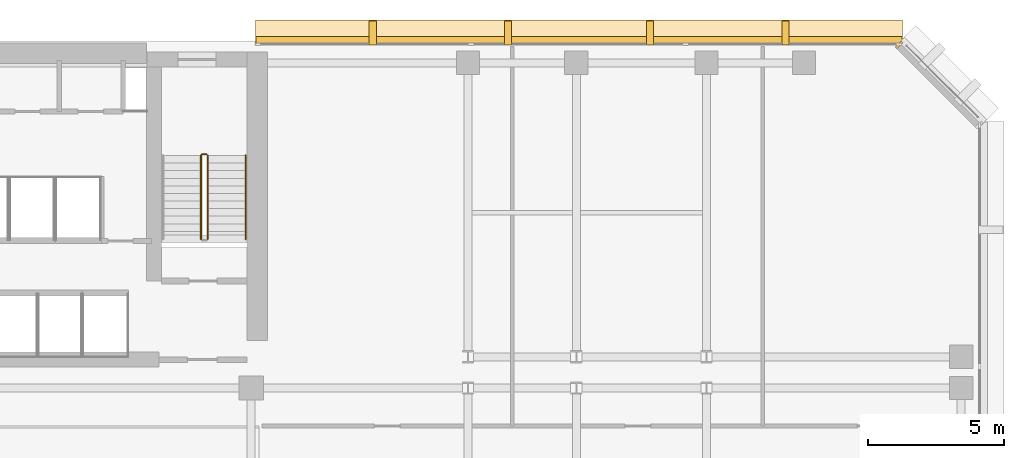
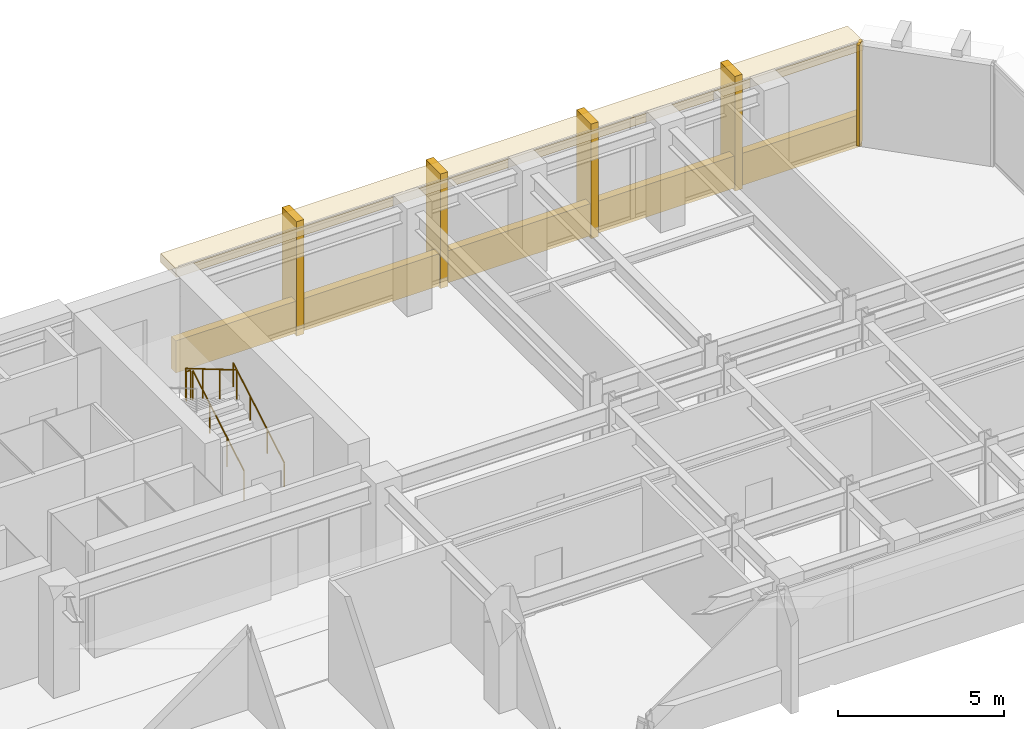
# One storey, part 11 of 12: 7 coverings, 4 railings.
"""IFC4 building model written with IfcOpenShell, lengths in metres."""

from ifc_helpers import new_model, si_unit, direction, frame, origin, origin_2d, place, context, subcontext, project, spatial, rectangle, circle, extrude, material, layer, layer_set, type_object, element, save


model = new_model("IFC4")

# Units and contexts
model_context = context("Model", 3, precision=1e-05, world=origin(), true_north=direction((0.0, 1.0)))
body_context = subcontext(model_context, "Body", "Model", "MODEL_VIEW")
ifc_project = project(units=[si_unit("LENGTHUNIT", "METRE"), si_unit("AREAUNIT", "SQUARE_METRE"), si_unit("VOLUMEUNIT", "CUBIC_METRE"), si_unit("PLANEANGLEUNIT", "RADIAN"), si_unit("MASSUNIT", "GRAM", prefix="KILO")], contexts=[model_context])

# Site, building, storey
site_placement = place(None, origin())
site = spatial("IfcSite", under=ifc_project, at=site_placement, CompositionType="ELEMENT")
building_placement = place(site_placement, origin())
building = spatial("IfcBuilding", under=site, at=building_placement, Name="Kefirva Bronze Tower", CompositionType="ELEMENT")
storey_placement = place(building_placement, frame((0.0, 0.0, 118.469970703125)))
storey = spatial("IfcBuildingStorey", under=building, at=storey_placement, Name="L28", CompositionType="ELEMENT", Elevation=118.469970703125)

# Coverings
ifc_material_1 = material(Name="Bronze anodised aluminium", Category="aluminium")
ifc_layer_1 = layer(ifc_material_1, 0.02001953125, Name="Bronze anodised aluminium")
ifc_layer_set_1 = layer_set([ifc_layer_1], Name="Bronze anodised aluminium")
covering_type_1 = type_object("IfcCoveringType", Name="Anodised Bronze Spandrel Cladding 20mm", PredefinedType="CLADDING", material=ifc_layer_set_1)
covering_1_placement = place(storey_placement, frame((47.11181640625, 45.862060546875, 0.0), z_axis=(0.0, 0.0, 1.0), x_axis=(-0.707106781187, 0.707106781187, 0.0)))
element("IfcCovering", 1, at=covering_1_placement, inside=storey, type_object=covering_type_1, Name="L28 Facade Joint Closure Panel 7E", PredefinedType="CLADDING", context=body_context, shape_type="SweptSolid", body=[
    extrude(rectangle(XDim=0.10009765625, YDim=0.320068359375, at=origin_2d()), origin(), (0.0, 0.0, 1.0), 3.7099609375),
])
covering_2_placement = place(storey_placement, frame((35.302490234375, 46.0400390625, -0.16015625), z_axis=(0.0, 0.0, 1.0), x_axis=(-1.0, 0.0, 0.0)))
element("IfcCovering", 2, at=covering_2_placement, inside=storey, type_object=covering_type_1, Name="L28 Streamline Horizontal Spandrel Band 12", PredefinedType="CLADDING", context=body_context, shape_type="SweptSolid", body=[
    extrude(rectangle(XDim=23.8349609375, YDim=0.280029296875, at=origin_2d()), origin(), (0.0, 0.0, 1.0), 1.179931640625),
])

# Railings
ifc_material_2 = material(Name="Stainless steel 316", Category="steel")
railing_type_1 = type_object("IfcRailingType", Name="Interior Stair Guardrail 1100mm", PredefinedType="GUARDRAIL", material=ifc_material_2)
railing_1_placement = place(storey_placement, frame((21.60009765625, 38.699951171875, 0.1650390625)))
element("IfcRailing", 3, at=railing_1_placement, inside=storey, type_object=railing_type_1, Name="L28 ST-2 stair guard 1", PredefinedType="GUARDRAIL", context=body_context, shape_type="SweptSolid", body=[
    extrude(circle(Radius=0.02392578125, at=origin_2d()), frame((0.0, 0.0, 1.076171875), z_axis=(0.0, 0.861551262678, 0.507670583921), x_axis=(-1.0, 0.0, 0.0)), (0.0, 0.0, 1.0), 3.574951171875),
    extrude(circle(Radius=0.02099609375, at=origin_2d()), origin(), (0.0, 0.0, 1.0), 1.052001953125),
    extrude(circle(Radius=0.02099609375, at=origin_2d()), frame((0.0, 1.026611328125, 0.60498046875)), (0.0, 0.0, 1.0), 1.052001953125),
    extrude(circle(Radius=0.02099609375, at=origin_2d()), frame((0.0, 2.053466796875, 1.2099609375)), (0.0, 0.0, 1.0), 1.052001953125),
    extrude(circle(Radius=0.02099609375, at=origin_2d()), frame((0.0, 3.080078125, 1.81494140625)), (0.0, 0.0, 1.0), 1.052001953125),
])
railing_2_placement = place(storey_placement, frame((21.550048828125, 41.830078125, 1.97998046875)))
element("IfcRailing", 4, at=railing_2_placement, inside=storey, type_object=railing_type_1, Name="L28 ST-2 stair guard 2", PredefinedType="GUARDRAIL", context=body_context, shape_type="SweptSolid", body=[
    extrude(circle(Radius=0.02392578125, at=origin_2d()), frame((0.0, 0.0, 1.076171875), z_axis=(-1.0, 0.0, 0.0), x_axis=(0.0, -1.0, 0.0)), (0.0, 0.0, 1.0), 0.150146484375),
    extrude(circle(Radius=0.02099609375, at=origin_2d()), origin(), (0.0, 0.0, 1.0), 1.052001953125),
    extrude(circle(Radius=0.02099609375, at=origin_2d()), frame((-0.150146484375, 0.0, 0.0)), (0.0, 0.0, 1.0), 1.052001953125),
])
railing_3_placement = place(storey_placement, frame((21.35009765625, 41.780029296875, 2.14501953125)))
element("IfcRailing", 5, at=railing_3_placement, inside=storey, type_object=railing_type_1, Name="L28 ST-2 stair guard 3", PredefinedType="GUARDRAIL", context=body_context, shape_type="SweptSolid", body=[
    extrude(circle(Radius=0.02392578125, at=origin_2d()), frame((0.0, 0.0, 1.076171875), z_axis=(0.0, -0.861551262678, 0.507670583921), x_axis=(1.0, 0.0, 0.0)), (0.0, 0.0, 1.0), 3.574951171875),
    extrude(circle(Radius=0.02099609375, at=origin_2d()), origin(), (0.0, 0.0, 1.0), 1.052001953125),
    extrude(circle(Radius=0.02099609375, at=origin_2d()), frame((0.0, -1.026611328125, 0.60498046875)), (0.0, 0.0, 1.0), 1.052001953125),
    extrude(circle(Radius=0.02099609375, at=origin_2d()), frame((0.0, -2.053466796875, 1.2099609375)), (0.0, 0.0, 1.0), 1.052001953125),
    extrude(circle(Radius=0.02099609375, at=origin_2d()), frame((0.0, -3.080078125, 1.81494140625)), (0.0, 0.0, 1.0), 1.052001953125),
])
railing_type_2 = type_object("IfcRailingType", Name="Stair Pitch Handrail 900mm", PredefinedType="HANDRAIL", material=ifc_material_2)
railing_4_placement = place(storey_placement, frame((23.0, 38.699951171875, 0.1650390625)))
element("IfcRailing", 6, at=railing_4_placement, inside=storey, type_object=railing_type_2, Name="L28 ST-2 stair handrail 1", PredefinedType="HANDRAIL", context=body_context, shape_type="SweptSolid", body=[
    extrude(circle(Radius=0.02392578125, at=origin_2d()), frame((0.0, 0.0, 0.8759765625), z_axis=(0.0, 0.861551262678, 0.507670583921), x_axis=(-1.0, 0.0, 0.0)), (0.0, 0.0, 1.0), 3.574951171875),
    extrude(circle(Radius=0.02099609375, at=origin_2d()), origin(), (0.0, 0.0, 1.0), 0.851806640625),
    extrude(circle(Radius=0.02099609375, at=origin_2d()), frame((0.0, 1.026611328125, 0.60498046875)), (0.0, 0.0, 1.0), 0.851806640625),
    extrude(circle(Radius=0.02099609375, at=origin_2d()), frame((0.0, 2.053466796875, 1.2099609375)), (0.0, 0.0, 1.0), 0.851806640625),
    extrude(circle(Radius=0.02099609375, at=origin_2d()), frame((0.0, 3.080078125, 1.81494140625)), (0.0, 0.0, 1.0), 0.851806640625),
])

# Coverings
ifc_layer_2 = layer(ifc_material_1, 0.179931640625, Name="Bronze anodised aluminium")
ifc_layer_set_2 = layer_set([ifc_layer_2], Name="Bronze anodised aluminium")
covering_type_2 = type_object("IfcCoveringType", Name="Streamline Bronze Sunshade Eyebrow Cladding 180mm", PredefinedType="CLADDING", material=ifc_layer_set_2)
covering_3_placement = place(storey_placement, frame((35.302490234375, 46.31005859375, 3.39013671875), z_axis=(0.0, 0.0, 1.0), x_axis=(-1.0, 0.0, 0.0)))
element("IfcCovering", 7, at=covering_3_placement, inside=storey, type_object=covering_type_2, Name="L28 Streamline Bronze Sunshade Eyebrow 12", PredefinedType="CLADDING", context=body_context, shape_type="SweptSolid", body=[
    extrude(rectangle(XDim=23.875, YDim=0.93994140625, at=origin_2d()), origin(), (0.0, 0.0, 1.0), 0.320068359375),
])
ifc_layer_3 = layer(ifc_material_1, 0.260009765625, Name="Bronze anodised aluminium")
ifc_layer_set_3 = layer_set([ifc_layer_3], Name="Bronze anodised aluminium")
covering_type_3 = type_object("IfcCoveringType", Name="Unbroken Bronze Buttress Fin Cladding 260mm", PredefinedType="CLADDING", material=ifc_layer_set_3)
for number, where, z_axis, x_axis, name in (
    (8, (42.9169921875, 46.300048828125, -0.25), (0.0, 0.0, 1.0), (-1.0, 0.0, 0.0), "L28 Unbroken Vertical Bronze Rib Fin 17"),
    (9, (37.919921875, 46.300048828125, -0.25), (0.0, 0.0, 1.0), (-1.0, 0.0, 0.0), "L28 Unbroken Vertical Bronze Rib Fin 18"),
    (10, (32.68505859375, 46.300048828125, -0.25), (0.0, 0.0, 1.0), (-1.0, 0.0, 0.0), "L28 Unbroken Vertical Bronze Rib Fin 19"),
    (11, (27.68798828125, 46.300048828125, -0.25), (0.0, 0.0, 1.0), (-1.0, 0.0, 0.0), "L28 Unbroken Vertical Bronze Rib Fin 20"),
):
    element("IfcCovering", number, at=place(storey_placement, frame(where, z_axis=z_axis, x_axis=x_axis)), inside=storey, type_object=covering_type_3, Name=name, PredefinedType="CLADDING", context=body_context, shape_type="SweptSolid", body=[
        extrude(rectangle(XDim=0.260009765625, YDim=0.8798828125, at=origin_2d()), origin(), (0.0, 0.0, 1.0), 4.2099609375),
    ])

save(model, "model.ifc")
